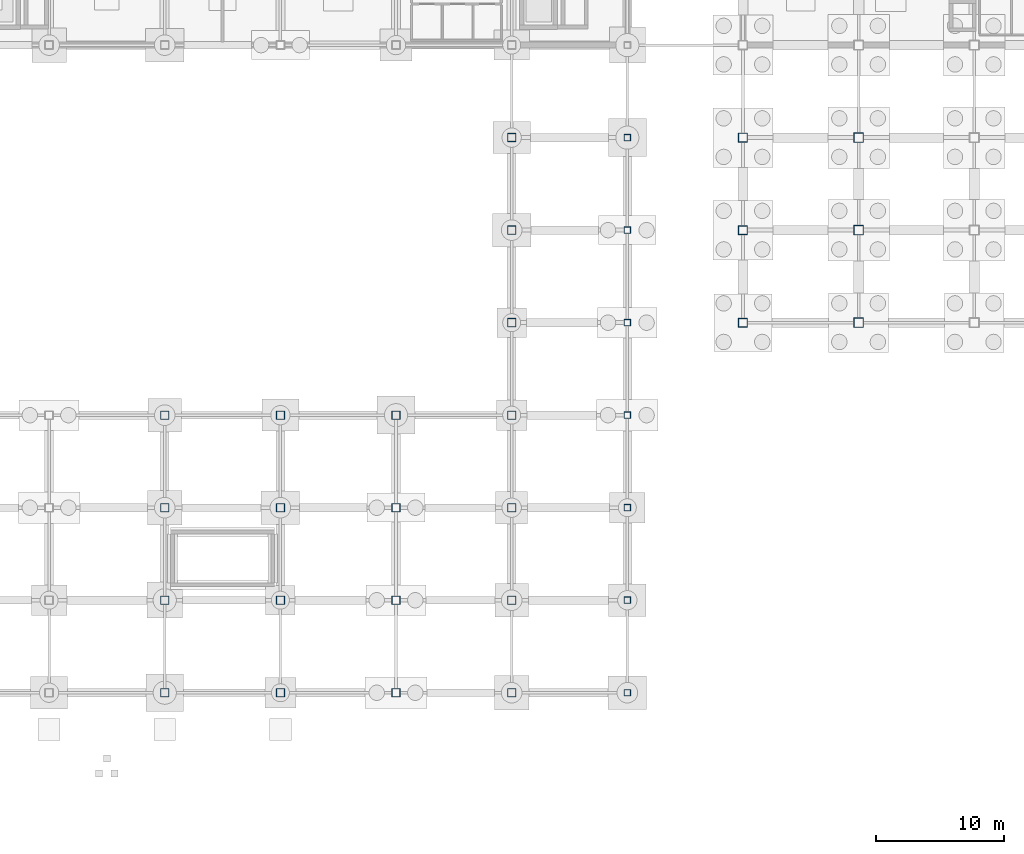
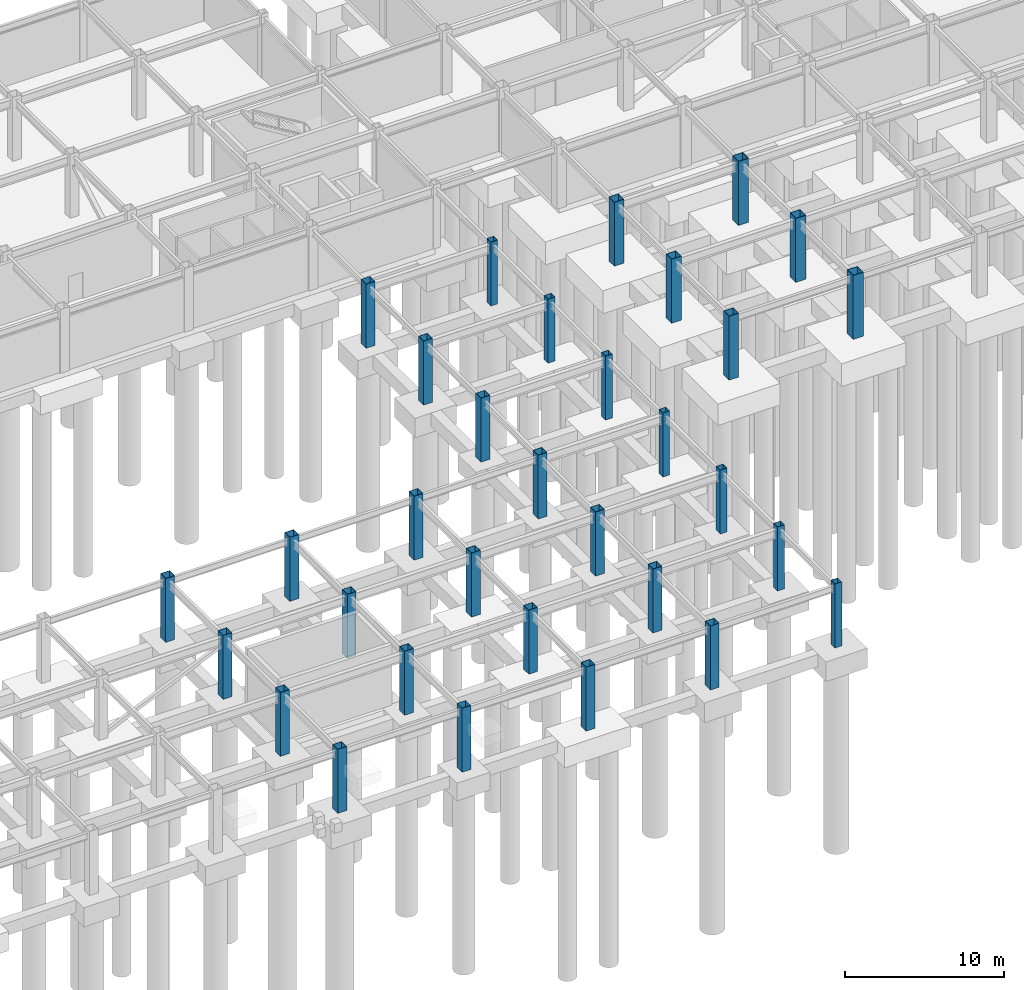
# One storey, part 13 of 28: 32 columns.
"""IFC4 building model written with IfcOpenShell, lengths in metres."""

from ifc_helpers import new_model, si_unit, direction, frame, origin, origin_2d, place, context, subcontext, project, spatial, hollow_rectangle, extrude, material, material_profile, profile_set, type_object, element, save


model = new_model("IFC4")

# Units and contexts
model_context = context("Model", 3, precision=1e-05, world=origin(), true_north=direction((0.0, 1.0)))
body_context = subcontext(model_context, "Body", "Model", "MODEL_VIEW")
ifc_project = project(units=[si_unit("LENGTHUNIT", "METRE"), si_unit("AREAUNIT", "SQUARE_METRE"), si_unit("VOLUMEUNIT", "CUBIC_METRE"), si_unit("PLANEANGLEUNIT", "RADIAN"), si_unit("MASSUNIT", "GRAM", prefix="KILO")], contexts=[model_context])

# Site, building, storey
site_placement = place(None, origin())
site = spatial("IfcSite", under=ifc_project, at=site_placement, CompositionType="ELEMENT")
building_placement = place(site_placement, origin())
building = spatial("IfcBuilding", under=site, at=building_placement, Name="Kazanami Central Library", CompositionType="ELEMENT")
storey_placement = place(building_placement, frame((0.0, 0.0, -4.89990234375)))
storey = spatial("IfcBuildingStorey", under=building, at=storey_placement, Name="B01", CompositionType="ELEMENT", Elevation=-4.89990234375)

# Columns
ifc_material = material(Name="Steel BCP325 (325 MPa)", Category="steel")
ifc_material_profile_1 = material_profile(ifc_material, hollow_rectangle(XDim=0.5, YDim=0.5, WallThickness=0.02197265625, at=origin_2d()), Name="BCP-500x500x22")
ifc_profile_set_1 = profile_set([ifc_material_profile_1], Name="Steel BCP325 (325 MPa)")
column_type_1 = type_object("IfcColumnType", Name="COL-C-P1E", PredefinedType="COLUMN", material=ifc_profile_set_1)
for number, where, z_axis, x_axis, name in (
    (1, (108.0, 14.39990234375, 0.0), (0.0, 0.0, 1.0), (1.0, 0.0, 0.0), "Column C-P1E B01 13/C"),
    (2, (108.0, 21.60009765625, 0.0), (0.0, 0.0, 1.0), (1.0, 0.0, 0.0), "Column C-P1E B01 13/D"),
    (3, (108.0, 28.800048828125, 0.0), (0.0, 0.0, 1.0), (1.0, 0.0, 0.0), "Column C-P1E B01 13/E"),
    (4, (108.0, 36.0, 0.0), (0.0, 0.0, 1.0), (1.0, 0.0, 0.0), "Column C-P1E B01 13/F"),
    (5, (108.0, 43.199951171875, 0.0), (0.0, 0.0, 1.0), (1.0, 0.0, 0.0), "Column C-P1E B01 13/G"),
    (6, (108.0, 50.39990234375, 0.0), (0.0, 0.0, 1.0), (1.0, 0.0, 0.0), "Column C-P1E B01 13/H"),
    (7, (108.0, 57.60009765625, 0.0), (0.0, 0.0, 1.0), (1.0, 0.0, 0.0), "Column C-P1E B01 13/J"),
):
    element("IfcColumn", number, at=place(storey_placement, frame(where, z_axis=z_axis, x_axis=x_axis)), inside=storey, type_object=column_type_1, Name=name, PredefinedType="COLUMN", context=body_context, shape_type="SweptSolid", body=[
        extrude(hollow_rectangle(XDim=0.5, YDim=0.5, WallThickness=0.02197265625, at=origin_2d()), origin(), (0.0, 0.0, 1.0), 4.89990234375),
    ])
ifc_material_profile_2 = material_profile(ifc_material, hollow_rectangle(XDim=0.64990234375, YDim=0.64990234375, WallThickness=0.02490234375, at=origin_2d()), Name="BCP-650x650x25")
ifc_profile_set_2 = profile_set([ifc_material_profile_2], Name="Steel BCP325 (325 MPa)")
column_type_2 = type_object("IfcColumnType", Name="COL-C-P1I", PredefinedType="COLUMN", material=ifc_profile_set_2)
for number, where, z_axis, x_axis, name in (
    (8, (72.0, 14.39990234375, 0.0), (0.0, 0.0, 1.0), (1.0, 0.0, 0.0), "Column C-P1I B01 9/C"),
    (9, (72.0, 21.60009765625, 0.0), (0.0, 0.0, 1.0), (1.0, 0.0, 0.0), "Column C-P1I B01 9/D"),
    (10, (72.0, 28.800048828125, 0.0), (0.0, 0.0, 1.0), (1.0, 0.0, 0.0), "Column C-P1I B01 9/E"),
    (11, (72.0, 36.0, 0.0), (0.0, 0.0, 1.0), (1.0, 0.0, 0.0), "Column C-P1I B01 9/F"),
    (12, (81.0, 14.39990234375, 0.0), (0.0, 0.0, 1.0), (1.0, 0.0, 0.0), "Column C-P1I B01 10/C"),
    (13, (81.0, 21.60009765625, 0.0), (0.0, 0.0, 1.0), (1.0, 0.0, 0.0), "Column C-P1I B01 10/D"),
    (14, (81.0, 28.800048828125, 0.0), (0.0, 0.0, 1.0), (1.0, 0.0, 0.0), "Column C-P1I B01 10/E"),
    (15, (81.0, 36.0, 0.0), (0.0, 0.0, 1.0), (1.0, 0.0, 0.0), "Column C-P1I B01 10/F"),
    (16, (90.0, 14.39990234375, 0.0), (0.0, 0.0, 1.0), (1.0, 0.0, 0.0), "Column C-P1I B01 11/C"),
    (17, (90.0, 21.60009765625, 0.0), (0.0, 0.0, 1.0), (1.0, 0.0, 0.0), "Column C-P1I B01 11/D"),
    (18, (90.0, 28.800048828125, 0.0), (0.0, 0.0, 1.0), (1.0, 0.0, 0.0), "Column C-P1I B01 11/E"),
    (19, (90.0, 36.0, 0.0), (0.0, 0.0, 1.0), (1.0, 0.0, 0.0), "Column C-P1I B01 11/F"),
    (20, (99.0, 14.39990234375, 0.0), (0.0, 0.0, 1.0), (1.0, 0.0, 0.0), "Column C-P1I B01 12/C"),
    (21, (99.0, 21.60009765625, 0.0), (0.0, 0.0, 1.0), (1.0, 0.0, 0.0), "Column C-P1I B01 12/D"),
    (22, (99.0, 28.800048828125, 0.0), (0.0, 0.0, 1.0), (1.0, 0.0, 0.0), "Column C-P1I B01 12/E"),
    (23, (99.0, 36.0, 0.0), (0.0, 0.0, 1.0), (1.0, 0.0, 0.0), "Column C-P1I B01 12/F"),
    (24, (99.0, 43.199951171875, 0.0), (0.0, 0.0, 1.0), (1.0, 0.0, 0.0), "Column C-P1I B01 12/G"),
    (25, (99.0, 50.39990234375, 0.0), (0.0, 0.0, 1.0), (1.0, 0.0, 0.0), "Column C-P1I B01 12/H"),
    (26, (99.0, 57.60009765625, 0.0), (0.0, 0.0, 1.0), (1.0, 0.0, 0.0), "Column C-P1I B01 12/J"),
):
    element("IfcColumn", number, at=place(storey_placement, frame(where, z_axis=z_axis, x_axis=x_axis)), inside=storey, type_object=column_type_2, Name=name, PredefinedType="COLUMN", context=body_context, shape_type="SweptSolid", body=[
        extrude(hollow_rectangle(XDim=0.64990234375, YDim=0.64990234375, WallThickness=0.02490234375, at=origin_2d()), origin(), (0.0, 0.0, 1.0), 4.89990234375),
    ])
ifc_material_profile_3 = material_profile(ifc_material, hollow_rectangle(XDim=0.75, YDim=0.75, WallThickness=0.031982421875, at=origin_2d()), Name="BCP-750x750x32")
ifc_profile_set_3 = profile_set([ifc_material_profile_3], Name="Steel BCP325 (325 MPa)")
column_type_3 = type_object("IfcColumnType", Name="COL-C-T1I", PredefinedType="COLUMN", material=ifc_profile_set_3)
for number, where, z_axis, x_axis, name in (
    (27, (126.0, 43.199951171875, 0.0), (0.0, 0.0, 1.0), (1.0, 0.0, 0.0), "Column C-T1I B01 15/G"),
    (28, (126.0, 50.39990234375, 0.0), (0.0, 0.0, 1.0), (1.0, 0.0, 0.0), "Column C-T1I B01 15/H"),
    (29, (126.0, 57.60009765625, 0.0), (0.0, 0.0, 1.0), (1.0, 0.0, 0.0), "Column C-T1I B01 15/J"),
):
    element("IfcColumn", number, at=place(storey_placement, frame(where, z_axis=z_axis, x_axis=x_axis)), inside=storey, type_object=column_type_3, Name=name, PredefinedType="COLUMN", context=body_context, shape_type="SweptSolid", body=[
        extrude(hollow_rectangle(XDim=0.75, YDim=0.75, WallThickness=0.031982421875, at=origin_2d()), origin(), (0.0, 0.0, 1.0), 4.89990234375),
    ])
ifc_material_profile_4 = material_profile(ifc_material, hollow_rectangle(XDim=0.699951171875, YDim=0.699951171875, WallThickness=0.028076171875, at=origin_2d()), Name="BCP-700x700x28")
ifc_profile_set_4 = profile_set([ifc_material_profile_4], Name="Steel BCP325 (325 MPa)")
column_type_4 = type_object("IfcColumnType", Name="COL-C-T1P", PredefinedType="COLUMN", material=ifc_profile_set_4)
for number, where, z_axis, x_axis, name in (
    (30, (117.0, 43.199951171875, 0.0), (0.0, 0.0, 1.0), (1.0, 0.0, 0.0), "Column C-T1P B01 14/G"),
    (31, (117.0, 50.39990234375, 0.0), (0.0, 0.0, 1.0), (1.0, 0.0, 0.0), "Column C-T1P B01 14/H"),
    (32, (117.0, 57.60009765625, 0.0), (0.0, 0.0, 1.0), (1.0, 0.0, 0.0), "Column C-T1P B01 14/J"),
):
    element("IfcColumn", number, at=place(storey_placement, frame(where, z_axis=z_axis, x_axis=x_axis)), inside=storey, type_object=column_type_4, Name=name, PredefinedType="COLUMN", context=body_context, shape_type="SweptSolid", body=[
        extrude(hollow_rectangle(XDim=0.699951171875, YDim=0.699951171875, WallThickness=0.028076171875, at=origin_2d()), origin(), (0.0, 0.0, 1.0), 4.89990234375),
    ])

save(model, "model.ifc")
